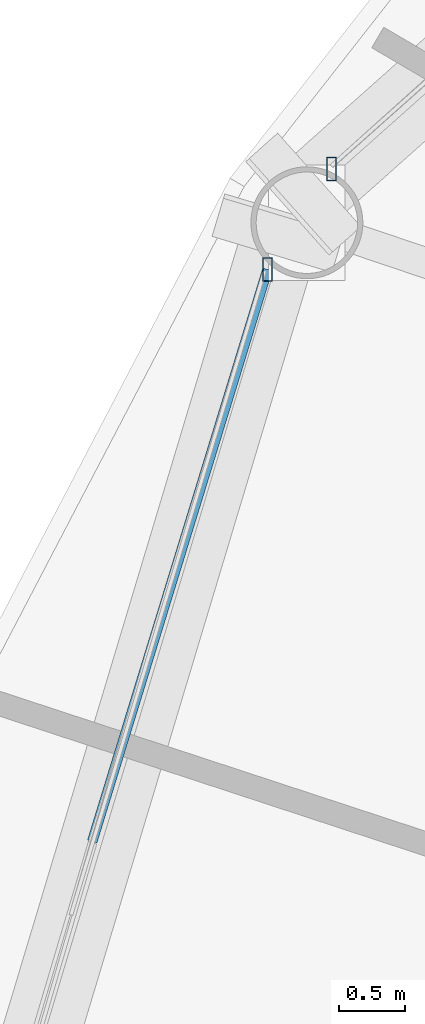
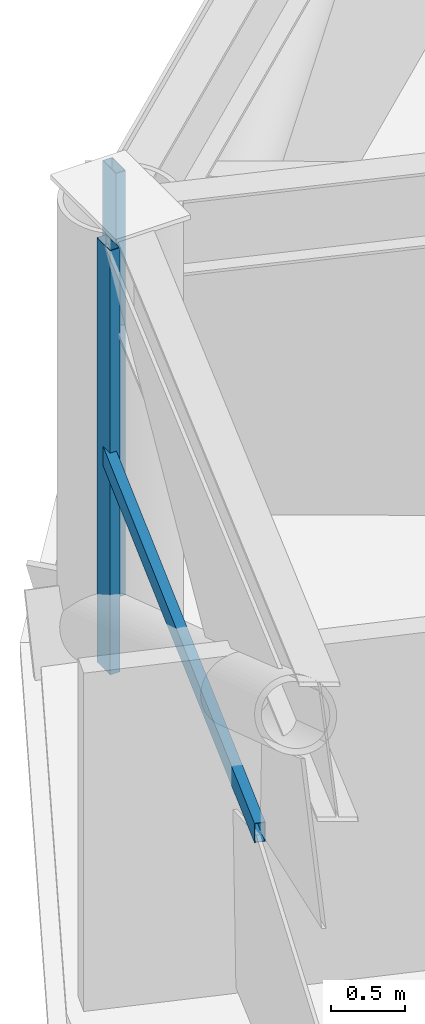
# One storey, part 13 of 30: 3 members, 2 elements without a shape of their own.
"""IFC4 building model written with IfcOpenShell, lengths in metres."""

from ifc_helpers import new_model, si_unit, direction, frame, origin, origin_2d, place, context, subcontext, project, spatial, hollow_rectangle, extrude, material, layer, layer_set, material_profile, profile_set, type_object, element, aggregate, save


model = new_model("IFC4")

# Units and contexts
model_context = context("Model", 3, precision=1e-05, world=origin(), true_north=direction((0.0, 1.0)))
body_context = subcontext(model_context, "Body", "Model", "MODEL_VIEW")
ifc_project = project(units=[si_unit("LENGTHUNIT", "METRE"), si_unit("AREAUNIT", "SQUARE_METRE"), si_unit("VOLUMEUNIT", "CUBIC_METRE"), si_unit("PLANEANGLEUNIT", "RADIAN"), si_unit("MASSUNIT", "GRAM", prefix="KILO")], contexts=[model_context])

# Site, building, storey
site_placement = place(None, origin())
site = spatial("IfcSite", under=ifc_project, at=site_placement, CompositionType="ELEMENT")
building_placement = place(site_placement, origin())
building = spatial("IfcBuilding", under=site, at=building_placement, Name="Vantalir Tower", CompositionType="ELEMENT")
storey_placement = place(building_placement, frame((0.0, 0.0, 79.5)))
storey = spatial("IfcBuildingStorey", under=building, at=storey_placement, Name="L19", CompositionType="ELEMENT", Elevation=79.5)

# Curtain wall, member
ifc_material_1 = material(Name="Champagne-silver PVDF aluminium and double-silver Low-E glass", Category="aluminium")
ifc_layer = layer(ifc_material_1, 0.18994140625)
ifc_layer_set = layer_set([ifc_layer], Name="Champagne-silver PVDF aluminium and double-silver Low-E glass")
curtain_wall_type = type_object("IfcCurtainWallType", Name="CW-DIAMOND-Z1", PredefinedType="USERDEFINED", material=ifc_layer_set)
curtain_wall_1_placement = place(storey_placement, origin())
curtain_wall_1 = element("IfcCurtainWall", 1, at=curtain_wall_1_placement, inside=storey, type_object=curtain_wall_type, Name="L19 Quilted Pyramid-Diamond Curtain Wall S05", ObjectType="UNITISED CURTAIN WALL", PredefinedType="USERDEFINED")
ifc_material_2 = material(Name="Champagne-silver PVDF aluminium 6063-T6", Category="aluminium")
ifc_material_profile_1 = material_profile(ifc_material_2, hollow_rectangle(XDim=0.074951171875, YDim=0.179931640625, WallThickness=0.00390625, at=origin_2d()), Name="Champagne-silver PVDF aluminium 6063-T6")
ifc_profile_set_1 = profile_set([ifc_material_profile_1], Name="Champagne-silver PVDF aluminium 6063-T6")
member_type_1 = type_object("IfcMemberType", Name="CWM-180x75", PredefinedType="MULLION", material=ifc_profile_set_1)
member_1_placement = place(storey_placement, frame((7.87109375, 37.655029296875, 0.044921875), z_axis=(0.0, 0.0, 1.0), x_axis=(1.0, 0.0, 0.0)))
member_1 = element("IfcMember", 2, at=member_1_placement, type_object=member_type_1, Name="CW-L19-S05 Mullion 2", PredefinedType="MULLION", context=body_context, shape_type="SweptSolid", body=[
    extrude(hollow_rectangle(XDim=0.074951171875, YDim=0.179931640625, WallThickness=0.00390625, at=origin_2d()), origin(), (0.0, 0.0, 1.0), 3.47998046875),
])
aggregate(curtain_wall_1, [member_1])

# Curtain wall, members
curtain_wall_2_placement = place(storey_placement, origin())
curtain_wall_2 = element("IfcCurtainWall", 3, at=curtain_wall_2_placement, inside=storey, type_object=curtain_wall_type, Name="L19 Quilted Pyramid-Diamond Curtain Wall S06", ObjectType="UNITISED CURTAIN WALL", PredefinedType="USERDEFINED")
member_2_placement = place(storey_placement, frame((7.385009765625, 36.89208984375, 0.044921875), z_axis=(0.0, 0.0, 1.0), x_axis=(1.0, 0.0, 0.0)))
member_2 = element("IfcMember", 4, at=member_2_placement, type_object=member_type_1, Name="CW-L19-S06 Mullion 1", PredefinedType="MULLION", context=body_context, shape_type="SweptSolid", body=[
    extrude(hollow_rectangle(XDim=0.074951171875, YDim=0.179931640625, WallThickness=0.00390625, at=origin_2d()), origin(), (0.0, 0.0, 1.0), 3.47998046875),
])
ifc_material_profile_2 = material_profile(ifc_material_2, hollow_rectangle(XDim=0.074951171875, YDim=0.159912109375, WallThickness=0.00390625, at=origin_2d()), Name="Champagne-silver PVDF aluminium 6063-T6")
ifc_profile_set_2 = profile_set([ifc_material_profile_2], Name="Champagne-silver PVDF aluminium 6063-T6")
member_type_2 = type_object("IfcMemberType", Name="CWT-160x75", PredefinedType="USERDEFINED", material=ifc_profile_set_2)
member_3_placement = place(storey_placement, frame((7.385009765625, 36.89208984375, 1.784912109375), z_axis=(-0.292952061571, -0.95612713047, 0.0), x_axis=(0.95612713047, -0.292952061571, 0.0)))
member_3 = element("IfcMember", 5, at=member_3_placement, type_object=member_type_2, Name="CW-L19-S06 Pyramid Fold Ridge Transom", ObjectType="TRANSOM", PredefinedType="USERDEFINED", context=body_context, shape_type="SweptSolid", body=[
    extrude(hollow_rectangle(XDim=0.074951171875, YDim=0.159912109375, WallThickness=0.00390625, at=origin_2d()), origin(), (0.0, 0.0, 1.0), 4.540283203125),
])
aggregate(curtain_wall_2, [member_2, member_3])

save(model, "model.ifc")
